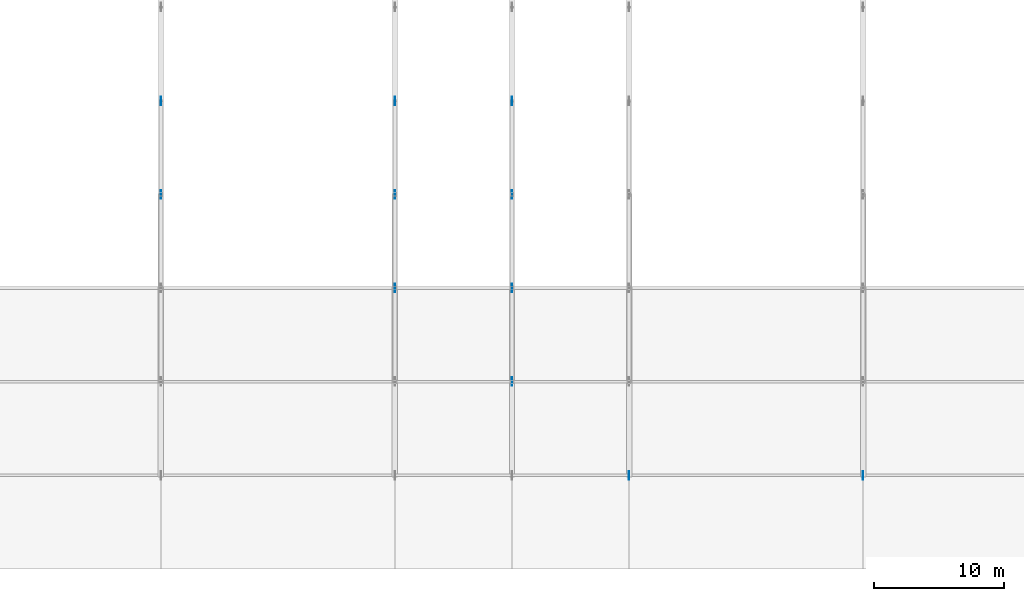
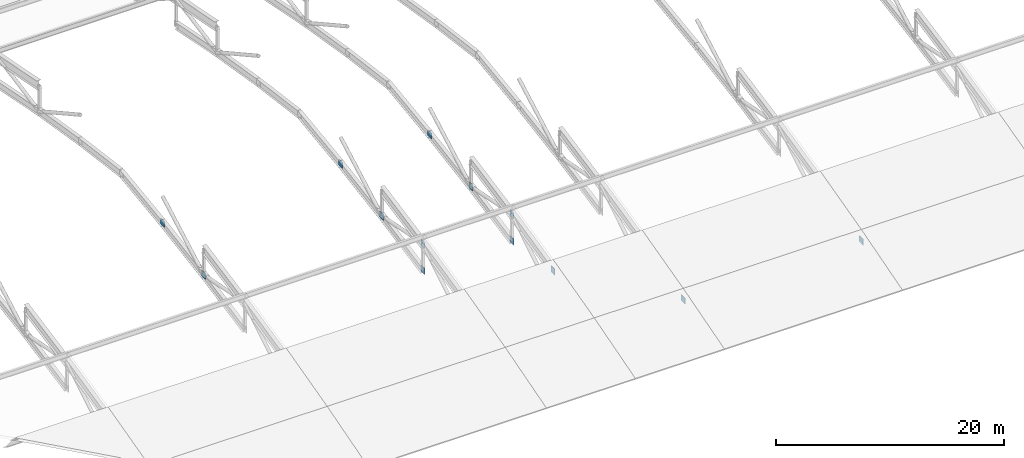
# One storey, part 82 of 124: 13 plates.
"""IFC4 building model written with IfcOpenShell, lengths in metres."""

from ifc_helpers import new_model, si_unit, direction, frame, origin, origin_2d, place, context, subcontext, project, spatial, rectangle, extrude, material, layer, layer_set, type_object, element, save


model = new_model("IFC4")

# Units and contexts
model_context = context("Model", 3, precision=1e-05, world=origin(), true_north=direction((0.0, 1.0)))
body_context = subcontext(model_context, "Body", "Model", "MODEL_VIEW")
ifc_project = project(units=[si_unit("LENGTHUNIT", "METRE"), si_unit("AREAUNIT", "SQUARE_METRE"), si_unit("VOLUMEUNIT", "CUBIC_METRE"), si_unit("PLANEANGLEUNIT", "RADIAN"), si_unit("MASSUNIT", "GRAM", prefix="KILO")], contexts=[model_context])

# Site, building, storey
site_placement = place(None, origin())
site = spatial("IfcSite", under=ifc_project, at=site_placement, CompositionType="ELEMENT")
building_placement = place(site_placement, origin())
building = spatial("IfcBuilding", under=site, at=building_placement, Name="Celestram Park Convention Centre", CompositionType="ELEMENT")
storey_placement = place(building_placement, frame((0.0, 0.0, 15.300048828125)))
storey = spatial("IfcBuildingStorey", under=building, at=storey_placement, Name="L03", CompositionType="ELEMENT", Elevation=15.300048828125)

# Plates
ifc_material = material(Name="Steel ASTM A572 Grade 50", Category="steel")
ifc_layer = layer(ifc_material, 0.050048828125)
ifc_layer_set = layer_set([ifc_layer], Name="Steel ASTM A572 Grade 50")
plate_type = type_object("IfcPlateType", Name="STR-PLT-GP50", PredefinedType="USERDEFINED", material=ifc_layer_set)
for number, where, z_axis, x_axis, name in (
    (1, (36.0, 50.39990234375, 1.856689453125), (0.0, 0.0, 1.0), (0.0, 1.0, 0.0), "V1 truss node gusset plate"),
    (2, (36.0, 57.60009765625, 3.045166015625), (0.0, 0.0, 1.0), (0.0, 1.0, 0.0), "V1 truss node gusset plate"),
    (3, (54.0, 43.199951171875, 3.238525390625), (0.0, 0.0, 1.0), (0.0, 1.0, 0.0), "V1 truss node gusset plate"),
    (4, (54.0, 43.199951171875, 0.4384765625), (0.0, 0.0, 1.0), (0.0, 1.0, 0.0), "V1 truss node gusset plate"),
    (5, (54.0, 50.39990234375, 1.856689453125), (0.0, 0.0, 1.0), (0.0, 1.0, 0.0), "V1 truss node gusset plate"),
    (6, (54.0, 57.60009765625, 3.045166015625), (0.0, 0.0, 1.0), (0.0, 1.0, 0.0), "V1 truss node gusset plate"),
    (7, (63.0, 36.0, 1.590087890625), (0.0, 0.0, 1.0), (0.0, 1.0, 0.0), "V1 truss node gusset plate"),
    (8, (63.0, 43.199951171875, 3.238525390625), (0.0, 0.0, 1.0), (0.0, 1.0, 0.0), "V1 truss node gusset plate"),
    (9, (63.0, 43.199951171875, 0.4384765625), (0.0, 0.0, 1.0), (0.0, 1.0, 0.0), "V1 truss node gusset plate"),
    (10, (63.0, 50.39990234375, 1.856689453125), (0.0, 0.0, 1.0), (0.0, 1.0, 0.0), "V1 truss node gusset plate"),
    (11, (63.0, 57.60009765625, 3.045166015625), (0.0, 0.0, 1.0), (0.0, 1.0, 0.0), "V1 truss node gusset plate"),
    (12, (72.0, 28.800048828125, -0.2880859375), (0.0, 0.0, 1.0), (0.0, 1.0, 0.0), "V1 truss node gusset plate"),
    (13, (90.0, 28.800048828125, -0.2880859375), (0.0, 0.0, 1.0), (0.0, 1.0, 0.0), "V1 truss node gusset plate"),
):
    element("IfcPlate", number, at=place(storey_placement, frame(where, z_axis=z_axis, x_axis=x_axis)), inside=storey, type_object=plate_type, Name=name, ObjectType="GUSSET_PLATE", PredefinedType="USERDEFINED", context=body_context, shape_type="SweptSolid", body=[
        extrude(rectangle(XDim=0.64990234375, YDim=0.050048828125, at=origin_2d()), origin(), (0.0, 0.0, 1.0), 0.64990234375),
    ])

save(model, "model.ifc")
